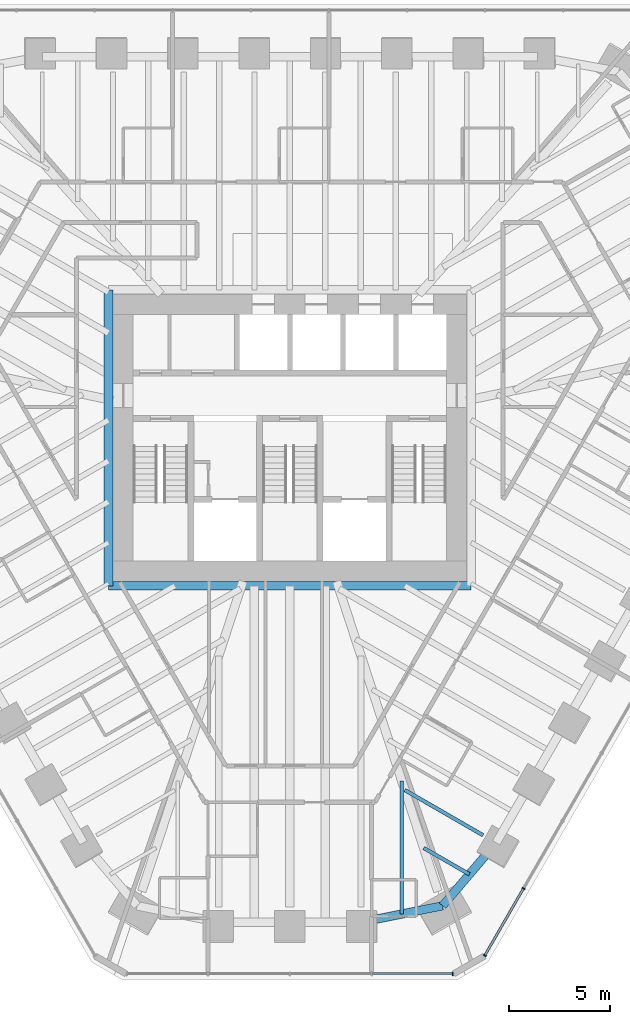
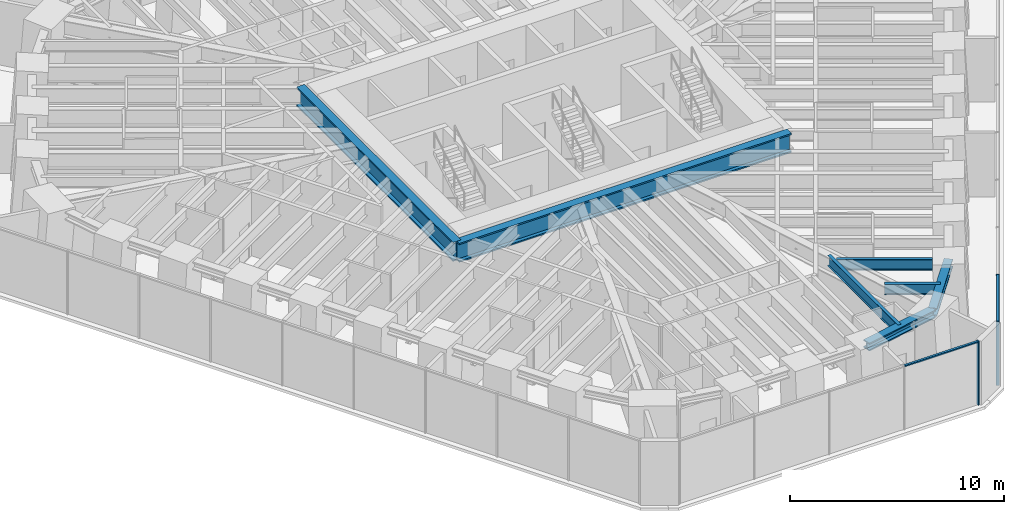
# One storey, part 4 of 16: 7 beams, 5 members, 2 elements without a shape of their own.
"""IFC4 building model written with IfcOpenShell, lengths in metres."""

from ifc_helpers import new_model, si_unit, direction, frame, origin, origin_2d, place, context, subcontext, project, spatial, rectangle, i_section, extrude, material, material_profile, profile_set, type_object, element, aggregate, save


model = new_model("IFC4")

# Units and contexts
model_context = context("Model", 3, precision=1e-05, world=origin(), true_north=direction((0.0, 1.0)))
body_context = subcontext(model_context, "Body", "Model", "MODEL_VIEW")
ifc_project = project(units=[si_unit("LENGTHUNIT", "METRE"), si_unit("AREAUNIT", "SQUARE_METRE"), si_unit("VOLUMEUNIT", "CUBIC_METRE"), si_unit("PLANEANGLEUNIT", "RADIAN"), si_unit("MASSUNIT", "GRAM", prefix="KILO")], contexts=[model_context])

# Site, building, storey
site_placement = place(None, origin())
site = spatial("IfcSite", under=ifc_project, at=site_placement, CompositionType="ELEMENT")
building_placement = place(site_placement, origin())
building = spatial("IfcBuilding", under=site, at=building_placement, Name="Sandreach Pilgrim Tower", CompositionType="ELEMENT")
storey_placement = place(building_placement, frame((0.0, 0.0, 247.800048828125)))
storey = spatial("IfcBuildingStorey", under=building, at=storey_placement, Name="L62", CompositionType="ELEMENT", Elevation=247.800048828125)

# Beams
ifc_material_1 = material(Name="Steel ASTM A913 Grade 65", Category="steel")
ifc_material_profile_1 = material_profile(ifc_material_1, i_section(OverallWidth=0.419189453125, OverallDepth=0.45458984375, WebThickness=0.042236328125, FlangeThickness=0.067626953125, at=origin_2d()), Name="W14X370")
ifc_profile_set_1 = profile_set([ifc_material_profile_1], Name="Steel ASTM A913 Grade 65")
beam_type_1 = type_object("IfcBeamType", Name="Belt truss chord W14X370", PredefinedType="BEAM", material=ifc_profile_set_1)
beam_1_placement = place(storey_placement, frame((10.2099609375, -20.0390625, 3.41259765625), z_axis=(-0.648050155598, -0.761597660073, 0.0), x_axis=(0.761597660073, -0.648050155598, 0.0)))
element("IfcBeam", 1, at=beam_1_placement, inside=storey, type_object=beam_type_1, Name="BM L62 BTB21", PredefinedType="BEAM", context=body_context, shape_type="SweptSolid", body=[
    extrude(i_section(OverallWidth=0.419189453125, OverallDepth=0.45458984375, WebThickness=0.042236328125, FlangeThickness=0.067626953125, at=origin_2d()), origin(), (0.0, 0.0, 1.0), 4.091796875),
])
beam_2_placement = place(storey_placement, frame((7.558349609375, -23.1552734375, 3.41259765625), z_axis=(-0.980391021595, -0.197062032814, 0.0), x_axis=(0.197062032814, -0.980391021595, 0.0)))
element("IfcBeam", 2, at=beam_2_placement, inside=storey, type_object=beam_type_1, Name="BM L62 BTB22", PredefinedType="BEAM", context=body_context, shape_type="SweptSolid", body=[
    extrude(i_section(OverallWidth=0.419189453125, OverallDepth=0.45458984375, WebThickness=0.042236328125, FlangeThickness=0.067626953125, at=origin_2d()), origin(), (0.0, 0.0, 1.0), 4.119384765625),
])

# Curtain wall, members
ifc_material_2 = material(Name="Aluminium framed curtain wall", Category="aluminium")
curtain_wall_type = type_object("IfcCurtainWallType", Name="Upper hotel tower curtain wall", PredefinedType="NOTDEFINED", material=ifc_material_2)
curtain_wall_1_placement = place(storey_placement, origin())
curtain_wall_1 = element("IfcCurtainWall", 3, at=curtain_wall_1_placement, inside=storey, type_object=curtain_wall_type, Name="CW-3 L62 SE", PredefinedType="NOTDEFINED")
ifc_material_3 = material(Name="Aluminium extrusion", Category="aluminium")
ifc_material_profile_2 = material_profile(ifc_material_3, rectangle(XDim=0.06494140625, YDim=0.159912109375, at=origin_2d()), Name="CW-3M 65X160")
ifc_profile_set_2 = profile_set([ifc_material_profile_2], Name="Aluminium extrusion")
member_type_1 = type_object("IfcMemberType", Name="CW-3 mullion", PredefinedType="MULLION", material=ifc_profile_set_2)
member_1_placement = place(storey_placement, frame((11.5625, -22.29345703125, 0.0), z_axis=(0.0, 0.0, 1.0), x_axis=(-0.5, -0.866025403784, 0.0)))
member_1 = element("IfcMember", 4, at=member_1_placement, type_object=member_type_1, Name="CW-3 mullion 9", PredefinedType="MULLION", context=body_context, shape_type="SweptSolid", body=[
    extrude(rectangle(XDim=0.06494140625, YDim=0.159912109375, at=origin_2d()), origin(), (0.0, 0.0, 1.0), 3.639892578125),
])
member_2_placement = place(storey_placement, frame((9.646484375, -25.612060546875, 0.0), z_axis=(0.0, 0.0, 1.0), x_axis=(-0.5, -0.866025403784, 0.0)))
member_2 = element("IfcMember", 5, at=member_2_placement, type_object=member_type_1, Name="CW-3 mullion 10", PredefinedType="MULLION", context=body_context, shape_type="SweptSolid", body=[
    extrude(rectangle(XDim=0.06494140625, YDim=0.159912109375, at=origin_2d()), origin(), (0.0, 0.0, 1.0), 3.639892578125),
])

# Curtain wall, member
curtain_wall_2_placement = place(storey_placement, origin())
curtain_wall_2 = element("IfcCurtainWall", 6, at=curtain_wall_2_placement, inside=storey, type_object=curtain_wall_type, Name="CW-3 L62 S", PredefinedType="NOTDEFINED")
member_3_placement = place(storey_placement, frame((8.06494140625, -26.525146484375, 0.0), z_axis=(0.0, 0.0, 1.0), x_axis=(-1.0, 0.0, 0.0)))
member_3 = element("IfcMember", 7, at=member_3_placement, type_object=member_type_1, Name="CW-3 mullion 1", PredefinedType="MULLION", context=body_context, shape_type="SweptSolid", body=[
    extrude(rectangle(XDim=0.06494140625, YDim=0.159912109375, at=origin_2d()), origin(), (0.0, 0.0, 1.0), 3.639892578125),
])

# Member
ifc_material_4 = material(Name="Aluminium extrusion", Category="aluminium")
ifc_material_profile_3 = material_profile(ifc_material_4, rectangle(XDim=0.1201171875, YDim=0.070068359375, at=origin_2d()), Name="CW-3T 120X70")
ifc_profile_set_3 = profile_set([ifc_material_profile_3], Name="Aluminium extrusion")
member_type_2 = type_object("IfcMemberType", Name="CW-3 transom", PredefinedType="USERDEFINED", material=ifc_profile_set_3)
member_4_placement = place(storey_placement, frame((11.546142578125, -22.321533203125, 3.60498046875), z_axis=(-0.499973055223, -0.8660409598, 0.0), x_axis=(0.8660409598, -0.499973055223, 0.0)))
member_4 = element("IfcMember", 8, at=member_4_placement, type_object=member_type_2, Name="CW-3 head transom 9", ObjectType="TRANSOM", PredefinedType="USERDEFINED", context=body_context, shape_type="SweptSolid", body=[
    extrude(rectangle(XDim=0.1201171875, YDim=0.070068359375, at=origin_2d()), origin(), (0.0, 0.0, 1.0), 3.766845703125),
])

aggregate(curtain_wall_1, [member_1, member_2, member_4])

member_5_placement = place(storey_placement, frame((8.032470703125, -26.525146484375, 3.60498046875), z_axis=(-1.0, 0.0, 0.0), x_axis=(0.0, -1.0, 0.0)))
member_5 = element("IfcMember", 9, at=member_5_placement, type_object=member_type_2, Name="CW-3 head transom 1", ObjectType="TRANSOM", PredefinedType="USERDEFINED", context=body_context, shape_type="SweptSolid", body=[
    extrude(rectangle(XDim=0.1201171875, YDim=0.070068359375, at=origin_2d()), origin(), (0.0, 0.0, 1.0), 3.951171875),
])

aggregate(curtain_wall_2, [member_3, member_5])

# Beams
ifc_material_5 = material(Name="Steel ASTM A992 Grade 50", Category="steel")
ifc_material_profile_4 = material_profile(ifc_material_5, i_section(OverallWidth=0.424072265625, OverallDepth=1.09228515625, WebThickness=0.04541015625, FlangeThickness=0.08203125, at=origin_2d()), Name="W40X593")
ifc_profile_set_4 = profile_set([ifc_material_profile_4], Name="Steel ASTM A992 Grade 50")
beam_type_2 = type_object("IfcBeamType", Name="Core edge beam W40X593", PredefinedType="BEAM", material=ifc_profile_set_4)
beam_3_placement = place(storey_placement, frame((8.97216796875, -7.322021484375, 3.09375), z_axis=(-1.0, 0.0, 0.0), x_axis=(0.0, -1.0, 0.0)))
element("IfcBeam", 10, at=beam_3_placement, inside=storey, type_object=beam_type_2, Name="BM L62 CES", PredefinedType="BEAM", context=body_context, shape_type="SweptSolid", body=[
    extrude(i_section(OverallWidth=0.424072265625, OverallDepth=1.09228515625, WebThickness=0.04541015625, FlangeThickness=0.08203125, at=origin_2d()), origin(), (0.0, 0.0, 1.0), 17.9443359375),
])
beam_4_placement = place(storey_placement, frame((-8.97216796875, -7.322021484375, 3.09375), z_axis=(0.0, 1.0, 0.0), x_axis=(-1.0, 0.0, 0.0)))
element("IfcBeam", 11, at=beam_4_placement, inside=storey, type_object=beam_type_2, Name="BM L62 CEW", PredefinedType="BEAM", context=body_context, shape_type="SweptSolid", body=[
    extrude(i_section(OverallWidth=0.424072265625, OverallDepth=1.09228515625, WebThickness=0.04541015625, FlangeThickness=0.08203125, at=origin_2d()), origin(), (0.0, 0.0, 1.0), 14.64404296875),
])
ifc_material_6 = material(Name="Steel ASTM A992 Grade 50", Category="steel")
ifc_material_profile_5 = material_profile(ifc_material_6, i_section(OverallWidth=0.1787109375, OverallDepth=0.60205078125, WebThickness=0.010986328125, FlangeThickness=0.014892578125, at=origin_2d()), Name="W24X62")
ifc_profile_set_5 = profile_set([ifc_material_profile_5], Name="Steel ASTM A992 Grade 50")
beam_type_3 = type_object("IfcBeamType", Name="Floor beam W24X62", PredefinedType="BEAM", material=ifc_profile_set_5)
beam_5_placement = place(storey_placement, frame((9.560546875, -19.6640625, 3.3388671875), z_axis=(-0.866026425853, 0.499998229721, 0.0), x_axis=(-0.499998229721, -0.866026425853, 0.0)))
element("IfcBeam", 12, at=beam_5_placement, inside=storey, type_object=beam_type_3, Name="BM L62 F21", PredefinedType="BEAM", context=body_context, shape_type="SweptSolid", body=[
    extrude(i_section(OverallWidth=0.1787109375, OverallDepth=0.60205078125, WebThickness=0.010986328125, FlangeThickness=0.014892578125, at=origin_2d()), origin(), (0.0, 0.0, 1.0), 4.47021484375),
])
beam_6_placement = place(storey_placement, frame((8.88427734375, -21.59716796875, 3.3388671875), z_axis=(-0.866012692104, 0.500022016631, 0.0), x_axis=(-0.500022016631, -0.866012692104, 0.0)))
element("IfcBeam", 13, at=beam_6_placement, inside=storey, type_object=beam_type_3, Name="BM L62 FM21", PredefinedType="BEAM", context=body_context, shape_type="SweptSolid", body=[
    extrude(i_section(OverallWidth=0.1787109375, OverallDepth=0.60205078125, WebThickness=0.010986328125, FlangeThickness=0.014892578125, at=origin_2d()), origin(), (0.0, 0.0, 1.0), 2.6103515625),
])
beam_7_placement = place(storey_placement, frame((5.5390625, -23.56103515625, 3.3388671875), z_axis=(0.0, 1.0, 0.0), x_axis=(-1.0, 0.0, 0.0)))
element("IfcBeam", 14, at=beam_7_placement, inside=storey, type_object=beam_type_3, Name="BM L62 FM22", PredefinedType="BEAM", context=body_context, shape_type="SweptSolid", body=[
    extrude(i_section(OverallWidth=0.1787109375, OverallDepth=0.60205078125, WebThickness=0.010986328125, FlangeThickness=0.014892578125, at=origin_2d()), origin(), (0.0, 0.0, 1.0), 6.592041015625),
])

save(model, "model.ifc")
